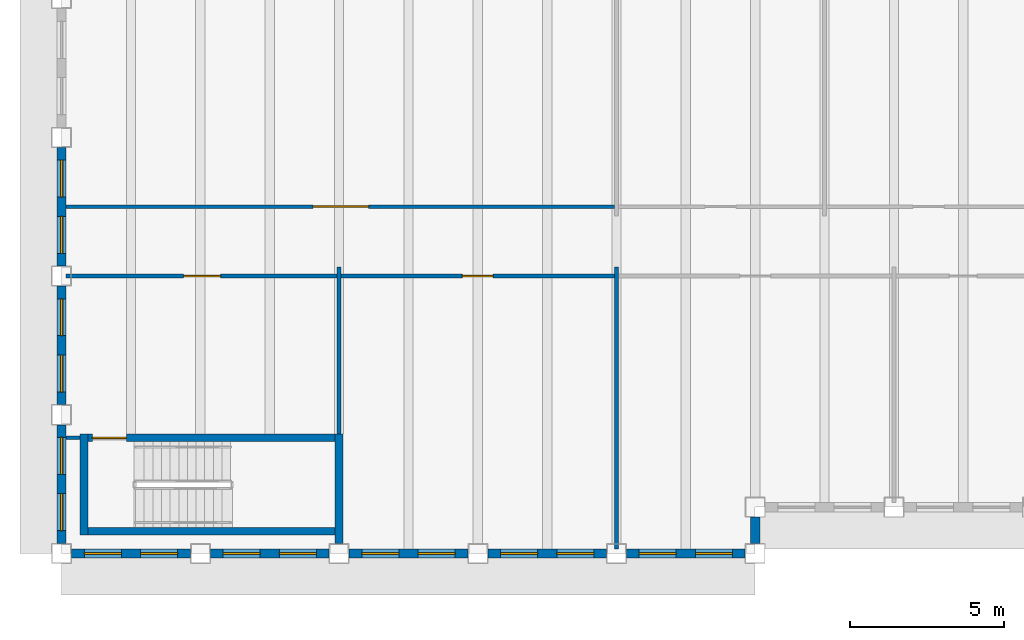
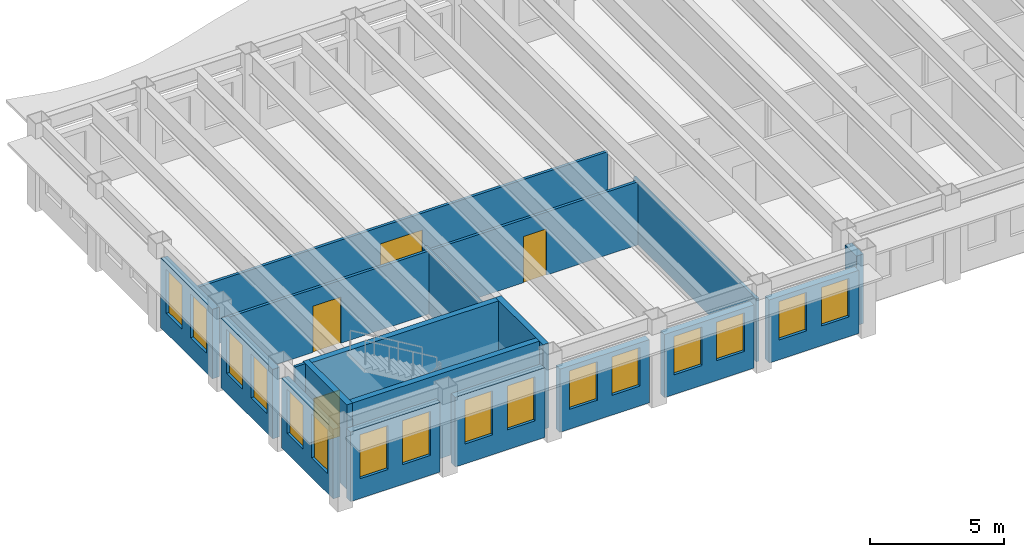
# One storey, part 2 of 12: 19 walls, 16 windows, 4 doors, 20 openings.
"""IFC4 building model written with IfcOpenShell, lengths in metres."""

from ifc_helpers import new_model, si_unit, direction, frame, frame_2d, origin, place, context, subcontext, project, spatial, rectangle, extrude, material, layer, layer_set, type_object, element, fill, save


model = new_model("IFC4")

# Units and contexts
model_context = context("Model", 3, precision=1e-05, world=origin(), true_north=direction((0.0, 1.0)))
body_context = subcontext(model_context, "Body", "Model", "MODEL_VIEW")
ifc_project = project(units=[si_unit("LENGTHUNIT", "METRE"), si_unit("AREAUNIT", "SQUARE_METRE"), si_unit("VOLUMEUNIT", "CUBIC_METRE"), si_unit("PLANEANGLEUNIT", "RADIAN"), si_unit("MASSUNIT", "GRAM", prefix="KILO")], contexts=[model_context])

# Site, building, storey
site_placement = place(None, origin())
site = spatial("IfcSite", under=ifc_project, at=site_placement, CompositionType="ELEMENT")
building_placement = place(site_placement, origin())
building = spatial("IfcBuilding", under=site, at=building_placement, Name="Sennacour Bend Tower", CompositionType="ELEMENT")
storey_placement = place(building_placement, frame((0.0, 0.0, 257.0)))
storey = spatial("IfcBuildingStorey", under=building, at=storey_placement, Name="L59", CompositionType="ELEMENT", Elevation=257.0)

# Walls
ifc_material_1 = material(Name="Plasterboard partition on steel studs", Category="steel")
ifc_layer_1 = layer(ifc_material_1, 0.1201171875, Name="Plasterboard partition on steel studs", Category="steel")
ifc_layer_set_1 = layer_set([ifc_layer_1], Name="Plasterboard partition on steel studs")
wall_type_1 = type_object("IfcWallType", Name="Partition 120", PredefinedType="PARTITIONING", material=ifc_layer_set_1)
wall_1_placement = place(storey_placement, frame((9.0, 3.875, 0.0), z_axis=(0.0, 0.0, 1.0), x_axis=(0.0, 1.0, 0.0)))
element("IfcWall", 1, at=wall_1_placement, inside=storey, type_object=wall_type_1, Name="P-L59-W005a", PredefinedType="PARTITIONING", context=body_context, shape_type="SweptSolid", body=[
    extrude(rectangle(XDim=5.425048828125, YDim=0.1201171875, at=frame_2d((2.71240234375, 0.0))), origin(), (0.0, 0.0, 1.0), 2.8701171875),
])
wall_2_placement = place(storey_placement, frame((18.0, 0.14990234375, 0.0), z_axis=(0.0, 0.0, 1.0), x_axis=(0.0, 1.0, 0.0)))
element("IfcWall", 2, at=wall_2_placement, inside=storey, type_object=wall_type_1, Name="P-L59-W006a", PredefinedType="PARTITIONING", context=body_context, shape_type="SweptSolid", body=[
    extrude(rectangle(XDim=9.150146484375, YDim=0.1201171875, at=frame_2d((4.5751953125, 0.0))), origin(), (0.0, 0.0, 1.0), 2.8701171875),
])
wall_3_placement = place(storey_placement, frame((0.14990234375, 3.75, 0.0), z_axis=(0.0, 0.0, 1.0), x_axis=(1.0, 0.0, 0.0)))
element("IfcWall", 3, at=wall_3_placement, inside=storey, type_object=wall_type_1, Name="P-L59-W036a", PredefinedType="PARTITIONING", context=body_context, shape_type="SweptSolid", body=[
    extrude(rectangle(XDim=0.4501953125, YDim=0.1201171875, at=frame_2d((0.22509765625, 0.0))), origin(), (0.0, 0.0, 1.0), 3.85009765625),
])

# Wall, opening, door
wall_4_placement = place(storey_placement, frame((9.06005859375, 9.0, 0.0), z_axis=(0.0, 0.0, 1.0), x_axis=(1.0, 0.0, 0.0)))
wall_4 = element("IfcWall", 4, at=wall_4_placement, inside=storey, type_object=wall_type_1, Name="P-L59-W043ab", PredefinedType="PARTITIONING", context=body_context, shape_type="SweptSolid", body=[
    extrude(rectangle(XDim=8.8798828125, YDim=0.1201171875, at=frame_2d((4.43994140625, 0.0))), origin(), (0.0, 0.0, 1.0), 2.8701171875),
])
opening_1_placement = place(wall_4_placement, frame((3.93994140625, 0.0, 0.0)))
opening_1 = element("IfcOpeningElement", 5, at=opening_1_placement, cuts=wall_4, Name="Opening OD2", PredefinedType="OPENING", context=body_context, shape_type="SweptSolid", body=[
    extrude(rectangle(XDim=1.0, YDim=2.10009765625, at=frame_2d((0.5, 1.050048828125))), frame((0.0, 0.070068359375, 0.0), z_axis=(0.0, -1.0, 0.0), x_axis=(1.0, 0.0, 0.0)), (0.0, 0.0, 1.0), 0.14013671875),
])
ifc_material_2 = material(Name="Timber", Category="wood")
door_type_1 = type_object("IfcDoorType", Name="DR-OFFICE-1000", OperationType="NOTDEFINED", PredefinedType="DOOR", material=ifc_material_2)
door_1_placement = place(opening_1_placement, origin())
door_1 = element("IfcDoor", 6, at=door_1_placement, inside=storey, type_object=door_type_1, Name="Door", OperationType="SINGLE_SWING_LEFT", OverallHeight=2.10009765625, OverallWidth=1.0, PredefinedType="DOOR", context=body_context, shape_type="SweptSolid", body=[
    extrude(rectangle(XDim=1.0, YDim=2.10009765625, at=frame_2d((0.5, 1.050048828125))), frame((0.0, 0.02490234375, 0.0), z_axis=(0.0, -1.0, 0.0), x_axis=(1.0, 0.0, 0.0)), (0.0, 0.0, 1.0), 0.050048828125),
])
fill(opening_1, door_1)

wall_5_placement = place(storey_placement, frame((0.14990234375, 11.25, 0.0), z_axis=(0.0, 0.0, 1.0), x_axis=(1.0, 0.0, 0.0)))
wall_5 = element("IfcWall", 7, at=wall_5_placement, inside=storey, type_object=wall_type_1, Name="P-L59-W046aa", PredefinedType="PARTITIONING", context=body_context, shape_type="SweptSolid", body=[
    extrude(rectangle(XDim=17.7900390625, YDim=0.1201171875, at=frame_2d((8.89501953125, 0.0))), origin(), (0.0, 0.0, 1.0), 2.8701171875),
])
opening_2_placement = place(wall_5_placement, frame((8.005126953125, 0.0, 0.0)))
opening_2 = element("IfcOpeningElement", 8, at=opening_2_placement, cuts=wall_5, Name="Opening OD3", PredefinedType="OPENING", context=body_context, shape_type="SweptSolid", body=[
    extrude(rectangle(XDim=1.800048828125, YDim=2.10009765625, at=frame_2d((0.89990234375, 1.050048828125))), frame((0.0, 0.070068359375, 0.0), z_axis=(0.0, -1.0, 0.0), x_axis=(1.0, 0.0, 0.0)), (0.0, 0.0, 1.0), 0.14013671875),
])
door_type_2 = type_object("IfcDoorType", Name="DR-OFFICE-1800", OperationType="NOTDEFINED", PredefinedType="DOOR", material=ifc_material_2)
door_2_placement = place(opening_2_placement, origin())
door_2 = element("IfcDoor", 9, at=door_2_placement, inside=storey, type_object=door_type_2, Name="Door", OperationType="DOUBLE_DOOR_SINGLE_SWING", OverallHeight=2.10009765625, OverallWidth=1.800048828125, PredefinedType="DOOR", context=body_context, shape_type="SweptSolid", body=[
    extrude(rectangle(XDim=1.800048828125, YDim=2.10009765625, at=frame_2d((0.89990234375, 1.050048828125))), frame((0.0, 0.02490234375, 0.0), z_axis=(0.0, -1.0, 0.0), x_axis=(1.0, 0.0, 0.0)), (0.0, 0.0, 1.0), 0.050048828125),
])
fill(opening_2, door_2)

ifc_layer_2 = layer(ifc_material_1, 0.1201171875, Name="Plasterboard partition on steel studs", Category="steel")
ifc_layer_set_2 = layer_set([ifc_layer_2], Name="Plasterboard partition on steel studs")
wall_type_2 = type_object("IfcWallType", Name="Partition 120 EI 30", PredefinedType="PARTITIONING", material=ifc_layer_set_2)
wall_6_placement = place(storey_placement, frame((0.14990234375, 9.0, 0.0), z_axis=(0.0, 0.0, 1.0), x_axis=(1.0, 0.0, 0.0)))
wall_6 = element("IfcWall", 10, at=wall_6_placement, inside=storey, type_object=wall_type_2, Name="P-L59-W043aa", PredefinedType="PARTITIONING", context=body_context, shape_type="SweptSolid", body=[
    extrude(rectangle(XDim=8.7900390625, YDim=0.1201171875, at=frame_2d((4.39501953125, 0.0))), origin(), (0.0, 0.0, 1.0), 2.8701171875),
])
opening_3_placement = place(wall_6_placement, frame((3.80517578125, 0.0, 0.0)))
opening_3 = element("IfcOpeningElement", 11, at=opening_3_placement, cuts=wall_6, Name="Opening KD2", PredefinedType="OPENING", context=body_context, shape_type="SweptSolid", body=[
    extrude(rectangle(XDim=1.199951171875, YDim=2.10009765625, at=frame_2d((0.60009765625, 1.050048828125))), frame((0.0, 0.070068359375, 0.0), z_axis=(0.0, -1.0, 0.0), x_axis=(1.0, 0.0, 0.0)), (0.0, 0.0, 1.0), 0.14013671875),
])
ifc_material_3 = material(Name="Painted steel", Category="steel")
door_type_3 = type_object("IfcDoorType", Name="DR-CORRIDOR-1200", OperationType="NOTDEFINED", PredefinedType="DOOR", material=ifc_material_3)
door_3_placement = place(opening_3_placement, origin())
door_3 = element("IfcDoor", 12, at=door_3_placement, inside=storey, type_object=door_type_3, Name="Door", OperationType="SINGLE_SWING_RIGHT", OverallHeight=2.10009765625, OverallWidth=1.199951171875, PredefinedType="DOOR", context=body_context, shape_type="SweptSolid", body=[
    extrude(rectangle(XDim=1.199951171875, YDim=2.10009765625, at=frame_2d((0.60009765625, 1.050048828125))), frame((0.0, 0.02490234375, 0.0), z_axis=(0.0, -1.0, 0.0), x_axis=(1.0, 0.0, 0.0)), (0.0, 0.0, 1.0), 0.050048828125),
])
fill(opening_3, door_3)

# Wall
ifc_material_4 = material(Name="Warm limestone cladding", Category="masonry")
ifc_layer_3 = layer(ifc_material_4, 0.050048828125, Name="Warm limestone cladding", Category="masonry")
ifc_material_5 = material(Name="Precast concrete C40/50", Category="concrete")
ifc_layer_4 = layer(ifc_material_5, 0.25, Name="Precast concrete C40/50", Category="concrete")
ifc_layer_set_3 = layer_set([ifc_layer_3, ifc_layer_4], Name="Precast concrete C40/50 with limestone cladding")
wall_type_3 = type_object("IfcWallType", Name="STONE-CLAD PRECAST SPANDREL 300", PredefinedType="STANDARD", material=ifc_layer_set_3)
wall_7_placement = place(storey_placement, frame((22.5, 0.324951171875, 0.0), z_axis=(0.0, 0.0, 1.0), x_axis=(0.0, 1.0, 0.0)))
element("IfcWall", 13, at=wall_7_placement, inside=storey, type_object=wall_type_3, Name="Stone spandrel and pier wall L59 00.00", PredefinedType="STANDARD", context=body_context, shape_type="SweptSolid", body=[
    extrude(rectangle(XDim=0.85009765625, YDim=0.300048828125, at=frame_2d((0.425048828125, 0.0))), origin(), (0.0, 0.0, 1.0), 3.162109375),
])

# Wall, openings, windows
wall_8_placement = place(storey_placement, frame((0.0, 13.175048828125, 0.0), z_axis=(0.0, 0.0, 1.0), x_axis=(0.0, -1.0, 0.0)))
wall_8 = element("IfcWall", 14, at=wall_8_placement, inside=storey, type_object=wall_type_3, Name="Stone spandrel and pier wall L59 10.02", PredefinedType="STANDARD", context=body_context, shape_type="SweptSolid", body=[
    extrude(rectangle(XDim=3.85009765625, YDim=0.300048828125, at=frame_2d((1.925048828125, 0.0))), origin(), (0.0, 0.0, 1.0), 3.162109375),
])
opening_4_placement = place(wall_8_placement, frame((0.41259765625, 0.0, 0.89990234375)))
opening_4 = element("IfcOpeningElement", 15, at=opening_4_placement, cuts=wall_8, Name="Opening W14", PredefinedType="OPENING", context=body_context, shape_type="SweptSolid", body=[
    extrude(rectangle(XDim=1.199951171875, YDim=2.0, at=frame_2d((0.60009765625, 1.0))), frame((0.0, 0.16015625, 0.0), z_axis=(0.0, -1.0, 0.0), x_axis=(1.0, 0.0, 0.0)), (0.0, 0.0, 1.0), 0.320068359375),
])
opening_5_placement = place(wall_8_placement, frame((2.237548828125, 0.0, 0.89990234375)))
opening_5 = element("IfcOpeningElement", 16, at=opening_5_placement, cuts=wall_8, Name="Opening W14", PredefinedType="OPENING", context=body_context, shape_type="SweptSolid", body=[
    extrude(rectangle(XDim=1.199951171875, YDim=2.0, at=frame_2d((0.60009765625, 1.0))), frame((0.0, 0.16015625, 0.0), z_axis=(0.0, -1.0, 0.0), x_axis=(1.0, 0.0, 0.0)), (0.0, 0.0, 1.0), 0.320068359375),
])
ifc_material_6 = material(Name="Clear low-emissivity glass", Category="glass")
window_type_1 = type_object("IfcWindowType", Name="WIN-RIBBON-1200x2000", PartitioningType="SINGLE_PANEL", PredefinedType="WINDOW", material=ifc_material_6)
window_1_placement = place(opening_4_placement, origin())
window_1 = element("IfcWindow", 17, at=window_1_placement, inside=storey, type_object=window_type_1, Name="Ribbon window L59 10.02.0", OverallHeight=2.0, OverallWidth=1.199951171875, PartitioningType="SINGLE_PANEL", PredefinedType="WINDOW", context=body_context, shape_type="SweptSolid", body=[
    extrude(rectangle(XDim=1.199951171875, YDim=2.0, at=frame_2d((0.60009765625, 1.0))), frame((0.0, 0.030029296875, 0.0), z_axis=(0.0, -1.0, 0.0), x_axis=(1.0, 0.0, 0.0)), (0.0, 0.0, 1.0), 0.06005859375),
])
fill(opening_4, window_1)
window_2_placement = place(opening_5_placement, origin())
window_2 = element("IfcWindow", 18, at=window_2_placement, inside=storey, type_object=window_type_1, Name="Ribbon window L59 10.02.1", OverallHeight=2.0, OverallWidth=1.199951171875, PartitioningType="SINGLE_PANEL", PredefinedType="WINDOW", context=body_context, shape_type="SweptSolid", body=[
    extrude(rectangle(XDim=1.199951171875, YDim=2.0, at=frame_2d((0.60009765625, 1.0))), frame((0.0, 0.030029296875, 0.0), z_axis=(0.0, -1.0, 0.0), x_axis=(1.0, 0.0, 0.0)), (0.0, 0.0, 1.0), 0.06005859375),
])
fill(opening_5, window_2)

wall_9_placement = place(storey_placement, frame((0.0, 8.675048828125, 0.0), z_axis=(0.0, 0.0, 1.0), x_axis=(0.0, -1.0, 0.0)))
wall_9 = element("IfcWall", 19, at=wall_9_placement, inside=storey, type_object=wall_type_3, Name="Stone spandrel and pier wall L59 10.03", PredefinedType="STANDARD", context=body_context, shape_type="SweptSolid", body=[
    extrude(rectangle(XDim=3.85009765625, YDim=0.300048828125, at=frame_2d((1.925048828125, 0.0))), origin(), (0.0, 0.0, 1.0), 3.162109375),
])
opening_6_placement = place(wall_9_placement, frame((0.41259765625, 0.0, 0.89990234375)))
opening_6 = element("IfcOpeningElement", 20, at=opening_6_placement, cuts=wall_9, Name="Opening W14", PredefinedType="OPENING", context=body_context, shape_type="SweptSolid", body=[
    extrude(rectangle(XDim=1.199951171875, YDim=2.0, at=frame_2d((0.60009765625, 1.0))), frame((0.0, 0.16015625, 0.0), z_axis=(0.0, -1.0, 0.0), x_axis=(1.0, 0.0, 0.0)), (0.0, 0.0, 1.0), 0.320068359375),
])
opening_7_placement = place(wall_9_placement, frame((2.237548828125, 0.0, 0.89990234375)))
opening_7 = element("IfcOpeningElement", 21, at=opening_7_placement, cuts=wall_9, Name="Opening W14", PredefinedType="OPENING", context=body_context, shape_type="SweptSolid", body=[
    extrude(rectangle(XDim=1.199951171875, YDim=2.0, at=frame_2d((0.60009765625, 1.0))), frame((0.0, 0.16015625, 0.0), z_axis=(0.0, -1.0, 0.0), x_axis=(1.0, 0.0, 0.0)), (0.0, 0.0, 1.0), 0.320068359375),
])
window_3_placement = place(opening_6_placement, origin())
window_3 = element("IfcWindow", 22, at=window_3_placement, inside=storey, type_object=window_type_1, Name="Ribbon window L59 10.03.0", OverallHeight=2.0, OverallWidth=1.199951171875, PartitioningType="SINGLE_PANEL", PredefinedType="WINDOW", context=body_context, shape_type="SweptSolid", body=[
    extrude(rectangle(XDim=1.199951171875, YDim=2.0, at=frame_2d((0.60009765625, 1.0))), frame((0.0, 0.030029296875, 0.0), z_axis=(0.0, -1.0, 0.0), x_axis=(1.0, 0.0, 0.0)), (0.0, 0.0, 1.0), 0.06005859375),
])
fill(opening_6, window_3)
window_4_placement = place(opening_7_placement, origin())
window_4 = element("IfcWindow", 23, at=window_4_placement, inside=storey, type_object=window_type_1, Name="Ribbon window L59 10.03.1", OverallHeight=2.0, OverallWidth=1.199951171875, PartitioningType="SINGLE_PANEL", PredefinedType="WINDOW", context=body_context, shape_type="SweptSolid", body=[
    extrude(rectangle(XDim=1.199951171875, YDim=2.0, at=frame_2d((0.60009765625, 1.0))), frame((0.0, 0.030029296875, 0.0), z_axis=(0.0, -1.0, 0.0), x_axis=(1.0, 0.0, 0.0)), (0.0, 0.0, 1.0), 0.06005859375),
])
fill(opening_7, window_4)

wall_10_placement = place(storey_placement, frame((0.0, 4.175048828125, 0.0), z_axis=(0.0, 0.0, 1.0), x_axis=(0.0, -1.0, 0.0)))
wall_10 = element("IfcWall", 24, at=wall_10_placement, inside=storey, type_object=wall_type_3, Name="Stone spandrel and pier wall L59 10.04", PredefinedType="STANDARD", context=body_context, shape_type="SweptSolid", body=[
    extrude(rectangle(XDim=3.85009765625, YDim=0.300048828125, at=frame_2d((1.925048828125, 0.0))), origin(), (0.0, 0.0, 1.0), 3.162109375),
])
opening_8_placement = place(wall_10_placement, frame((0.41259765625, 0.0, 0.89990234375)))
opening_8 = element("IfcOpeningElement", 25, at=opening_8_placement, cuts=wall_10, Name="Opening W14", PredefinedType="OPENING", context=body_context, shape_type="SweptSolid", body=[
    extrude(rectangle(XDim=1.199951171875, YDim=2.0, at=frame_2d((0.60009765625, 1.0))), frame((0.0, 0.16015625, 0.0), z_axis=(0.0, -1.0, 0.0), x_axis=(1.0, 0.0, 0.0)), (0.0, 0.0, 1.0), 0.320068359375),
])
opening_9_placement = place(wall_10_placement, frame((2.237548828125, 0.0, 0.89990234375)))
opening_9 = element("IfcOpeningElement", 26, at=opening_9_placement, cuts=wall_10, Name="Opening W14", PredefinedType="OPENING", context=body_context, shape_type="SweptSolid", body=[
    extrude(rectangle(XDim=1.199951171875, YDim=2.0, at=frame_2d((0.60009765625, 1.0))), frame((0.0, 0.16015625, 0.0), z_axis=(0.0, -1.0, 0.0), x_axis=(1.0, 0.0, 0.0)), (0.0, 0.0, 1.0), 0.320068359375),
])
window_5_placement = place(opening_8_placement, origin())
window_5 = element("IfcWindow", 27, at=window_5_placement, inside=storey, type_object=window_type_1, Name="Ribbon window L59 10.04.0", OverallHeight=2.0, OverallWidth=1.199951171875, PartitioningType="SINGLE_PANEL", PredefinedType="WINDOW", context=body_context, shape_type="SweptSolid", body=[
    extrude(rectangle(XDim=1.199951171875, YDim=2.0, at=frame_2d((0.60009765625, 1.0))), frame((0.0, 0.030029296875, 0.0), z_axis=(0.0, -1.0, 0.0), x_axis=(1.0, 0.0, 0.0)), (0.0, 0.0, 1.0), 0.06005859375),
])
fill(opening_8, window_5)
window_6_placement = place(opening_9_placement, origin())
window_6 = element("IfcWindow", 28, at=window_6_placement, inside=storey, type_object=window_type_1, Name="Ribbon window L59 10.04.1", OverallHeight=2.0, OverallWidth=1.199951171875, PartitioningType="SINGLE_PANEL", PredefinedType="WINDOW", context=body_context, shape_type="SweptSolid", body=[
    extrude(rectangle(XDim=1.199951171875, YDim=2.0, at=frame_2d((0.60009765625, 1.0))), frame((0.0, 0.030029296875, 0.0), z_axis=(0.0, -1.0, 0.0), x_axis=(1.0, 0.0, 0.0)), (0.0, 0.0, 1.0), 0.06005859375),
])
fill(opening_9, window_6)

wall_11_placement = place(storey_placement, frame((0.324951171875, 0.0, 0.0), z_axis=(0.0, 0.0, 1.0), x_axis=(1.0, 0.0, 0.0)))
wall_11 = element("IfcWall", 29, at=wall_11_placement, inside=storey, type_object=wall_type_3, Name="Stone spandrel and pier wall L59 11.00", PredefinedType="STANDARD", context=body_context, shape_type="SweptSolid", body=[
    extrude(rectangle(XDim=3.85009765625, YDim=0.300048828125, at=frame_2d((1.925048828125, 0.0))), origin(), (0.0, 0.0, 1.0), 3.162109375),
])
opening_10_placement = place(wall_11_placement, frame((0.41259765625, 0.0, 0.89990234375)))
opening_10 = element("IfcOpeningElement", 30, at=opening_10_placement, cuts=wall_11, Name="Opening W14", PredefinedType="OPENING", context=body_context, shape_type="SweptSolid", body=[
    extrude(rectangle(XDim=1.199951171875, YDim=2.0, at=frame_2d((0.60009765625, 1.0))), frame((0.0, 0.16015625, 0.0), z_axis=(0.0, -1.0, 0.0), x_axis=(1.0, 0.0, 0.0)), (0.0, 0.0, 1.0), 0.320068359375),
])
opening_11_placement = place(wall_11_placement, frame((2.237548828125, 0.0, 0.89990234375)))
opening_11 = element("IfcOpeningElement", 31, at=opening_11_placement, cuts=wall_11, Name="Opening W14", PredefinedType="OPENING", context=body_context, shape_type="SweptSolid", body=[
    extrude(rectangle(XDim=1.199951171875, YDim=2.0, at=frame_2d((0.60009765625, 1.0))), frame((0.0, 0.16015625, 0.0), z_axis=(0.0, -1.0, 0.0), x_axis=(1.0, 0.0, 0.0)), (0.0, 0.0, 1.0), 0.320068359375),
])
window_7_placement = place(opening_10_placement, origin())
window_7 = element("IfcWindow", 32, at=window_7_placement, inside=storey, type_object=window_type_1, Name="Ribbon window L59 11.00.0", OverallHeight=2.0, OverallWidth=1.199951171875, PartitioningType="SINGLE_PANEL", PredefinedType="WINDOW", context=body_context, shape_type="SweptSolid", body=[
    extrude(rectangle(XDim=1.199951171875, YDim=2.0, at=frame_2d((0.60009765625, 1.0))), frame((0.0, 0.030029296875, 0.0), z_axis=(0.0, -1.0, 0.0), x_axis=(1.0, 0.0, 0.0)), (0.0, 0.0, 1.0), 0.06005859375),
])
fill(opening_10, window_7)
window_8_placement = place(opening_11_placement, origin())
window_8 = element("IfcWindow", 33, at=window_8_placement, inside=storey, type_object=window_type_1, Name="Ribbon window L59 11.00.1", OverallHeight=2.0, OverallWidth=1.199951171875, PartitioningType="SINGLE_PANEL", PredefinedType="WINDOW", context=body_context, shape_type="SweptSolid", body=[
    extrude(rectangle(XDim=1.199951171875, YDim=2.0, at=frame_2d((0.60009765625, 1.0))), frame((0.0, 0.030029296875, 0.0), z_axis=(0.0, -1.0, 0.0), x_axis=(1.0, 0.0, 0.0)), (0.0, 0.0, 1.0), 0.06005859375),
])
fill(opening_11, window_8)

wall_12_placement = place(storey_placement, frame((4.824951171875, 0.0, 0.0), z_axis=(0.0, 0.0, 1.0), x_axis=(1.0, 0.0, 0.0)))
wall_12 = element("IfcWall", 34, at=wall_12_placement, inside=storey, type_object=wall_type_3, Name="Stone spandrel and pier wall L59 11.01", PredefinedType="STANDARD", context=body_context, shape_type="SweptSolid", body=[
    extrude(rectangle(XDim=3.85009765625, YDim=0.300048828125, at=frame_2d((1.925048828125, 0.0))), origin(), (0.0, 0.0, 1.0), 3.162109375),
])
opening_12_placement = place(wall_12_placement, frame((0.41259765625, 0.0, 0.89990234375)))
opening_12 = element("IfcOpeningElement", 35, at=opening_12_placement, cuts=wall_12, Name="Opening W14", PredefinedType="OPENING", context=body_context, shape_type="SweptSolid", body=[
    extrude(rectangle(XDim=1.199951171875, YDim=2.0, at=frame_2d((0.60009765625, 1.0))), frame((0.0, 0.16015625, 0.0), z_axis=(0.0, -1.0, 0.0), x_axis=(1.0, 0.0, 0.0)), (0.0, 0.0, 1.0), 0.320068359375),
])
opening_13_placement = place(wall_12_placement, frame((2.237548828125, 0.0, 0.89990234375)))
opening_13 = element("IfcOpeningElement", 36, at=opening_13_placement, cuts=wall_12, Name="Opening W14", PredefinedType="OPENING", context=body_context, shape_type="SweptSolid", body=[
    extrude(rectangle(XDim=1.199951171875, YDim=2.0, at=frame_2d((0.60009765625, 1.0))), frame((0.0, 0.16015625, 0.0), z_axis=(0.0, -1.0, 0.0), x_axis=(1.0, 0.0, 0.0)), (0.0, 0.0, 1.0), 0.320068359375),
])
window_9_placement = place(opening_12_placement, origin())
window_9 = element("IfcWindow", 37, at=window_9_placement, inside=storey, type_object=window_type_1, Name="Ribbon window L59 11.01.0", OverallHeight=2.0, OverallWidth=1.199951171875, PartitioningType="SINGLE_PANEL", PredefinedType="WINDOW", context=body_context, shape_type="SweptSolid", body=[
    extrude(rectangle(XDim=1.199951171875, YDim=2.0, at=frame_2d((0.60009765625, 1.0))), frame((0.0, 0.030029296875, 0.0), z_axis=(0.0, -1.0, 0.0), x_axis=(1.0, 0.0, 0.0)), (0.0, 0.0, 1.0), 0.06005859375),
])
fill(opening_12, window_9)
window_10_placement = place(opening_13_placement, origin())
window_10 = element("IfcWindow", 38, at=window_10_placement, inside=storey, type_object=window_type_1, Name="Ribbon window L59 11.01.1", OverallHeight=2.0, OverallWidth=1.199951171875, PartitioningType="SINGLE_PANEL", PredefinedType="WINDOW", context=body_context, shape_type="SweptSolid", body=[
    extrude(rectangle(XDim=1.199951171875, YDim=2.0, at=frame_2d((0.60009765625, 1.0))), frame((0.0, 0.030029296875, 0.0), z_axis=(0.0, -1.0, 0.0), x_axis=(1.0, 0.0, 0.0)), (0.0, 0.0, 1.0), 0.06005859375),
])
fill(opening_13, window_10)

wall_13_placement = place(storey_placement, frame((9.324951171875, 0.0, 0.0), z_axis=(0.0, 0.0, 1.0), x_axis=(1.0, 0.0, 0.0)))
wall_13 = element("IfcWall", 39, at=wall_13_placement, inside=storey, type_object=wall_type_3, Name="Stone spandrel and pier wall L59 11.02", PredefinedType="STANDARD", context=body_context, shape_type="SweptSolid", body=[
    extrude(rectangle(XDim=3.85009765625, YDim=0.300048828125, at=frame_2d((1.925048828125, 0.0))), origin(), (0.0, 0.0, 1.0), 2.8701171875),
])
opening_14_placement = place(wall_13_placement, frame((0.41259765625, 0.0, 0.89990234375)))
opening_14 = element("IfcOpeningElement", 40, at=opening_14_placement, cuts=wall_13, Name="Opening W16", PredefinedType="OPENING", context=body_context, shape_type="SweptSolid", body=[
    extrude(rectangle(XDim=1.199951171875, YDim=1.75, at=frame_2d((0.60009765625, 0.875))), frame((0.0, 0.16015625, 0.0), z_axis=(0.0, -1.0, 0.0), x_axis=(1.0, 0.0, 0.0)), (0.0, 0.0, 1.0), 0.320068359375),
])
opening_15_placement = place(wall_13_placement, frame((2.237548828125, 0.0, 0.89990234375)))
opening_15 = element("IfcOpeningElement", 41, at=opening_15_placement, cuts=wall_13, Name="Opening W16", PredefinedType="OPENING", context=body_context, shape_type="SweptSolid", body=[
    extrude(rectangle(XDim=1.199951171875, YDim=1.75, at=frame_2d((0.60009765625, 0.875))), frame((0.0, 0.16015625, 0.0), z_axis=(0.0, -1.0, 0.0), x_axis=(1.0, 0.0, 0.0)), (0.0, 0.0, 1.0), 0.320068359375),
])
window_type_2 = type_object("IfcWindowType", Name="WIN-RIBBON-1200x1750", PartitioningType="SINGLE_PANEL", PredefinedType="WINDOW", material=ifc_material_6)
window_11_placement = place(opening_14_placement, origin())
window_11 = element("IfcWindow", 42, at=window_11_placement, inside=storey, type_object=window_type_2, Name="Ribbon window L59 11.02.0", OverallHeight=1.75, OverallWidth=1.199951171875, PartitioningType="SINGLE_PANEL", PredefinedType="WINDOW", context=body_context, shape_type="SweptSolid", body=[
    extrude(rectangle(XDim=1.199951171875, YDim=1.75, at=frame_2d((0.60009765625, 0.875))), frame((0.0, 0.030029296875, 0.0), z_axis=(0.0, -1.0, 0.0), x_axis=(1.0, 0.0, 0.0)), (0.0, 0.0, 1.0), 0.06005859375),
])
fill(opening_14, window_11)
window_12_placement = place(opening_15_placement, origin())
window_12 = element("IfcWindow", 43, at=window_12_placement, inside=storey, type_object=window_type_2, Name="Ribbon window L59 11.02.1", OverallHeight=1.75, OverallWidth=1.199951171875, PartitioningType="SINGLE_PANEL", PredefinedType="WINDOW", context=body_context, shape_type="SweptSolid", body=[
    extrude(rectangle(XDim=1.199951171875, YDim=1.75, at=frame_2d((0.60009765625, 0.875))), frame((0.0, 0.030029296875, 0.0), z_axis=(0.0, -1.0, 0.0), x_axis=(1.0, 0.0, 0.0)), (0.0, 0.0, 1.0), 0.06005859375),
])
fill(opening_15, window_12)

wall_14_placement = place(storey_placement, frame((13.824951171875, 0.0, 0.0), z_axis=(0.0, 0.0, 1.0), x_axis=(1.0, 0.0, 0.0)))
wall_14 = element("IfcWall", 44, at=wall_14_placement, inside=storey, type_object=wall_type_3, Name="Stone spandrel and pier wall L59 11.03", PredefinedType="STANDARD", context=body_context, shape_type="SweptSolid", body=[
    extrude(rectangle(XDim=3.85009765625, YDim=0.300048828125, at=frame_2d((1.925048828125, 0.0))), origin(), (0.0, 0.0, 1.0), 2.8701171875),
])
opening_16_placement = place(wall_14_placement, frame((0.41259765625, 0.0, 0.89990234375)))
opening_16 = element("IfcOpeningElement", 45, at=opening_16_placement, cuts=wall_14, Name="Opening W16", PredefinedType="OPENING", context=body_context, shape_type="SweptSolid", body=[
    extrude(rectangle(XDim=1.199951171875, YDim=1.75, at=frame_2d((0.60009765625, 0.875))), frame((0.0, 0.16015625, 0.0), z_axis=(0.0, -1.0, 0.0), x_axis=(1.0, 0.0, 0.0)), (0.0, 0.0, 1.0), 0.320068359375),
])
opening_17_placement = place(wall_14_placement, frame((2.237548828125, 0.0, 0.89990234375)))
opening_17 = element("IfcOpeningElement", 46, at=opening_17_placement, cuts=wall_14, Name="Opening W16", PredefinedType="OPENING", context=body_context, shape_type="SweptSolid", body=[
    extrude(rectangle(XDim=1.199951171875, YDim=1.75, at=frame_2d((0.60009765625, 0.875))), frame((0.0, 0.16015625, 0.0), z_axis=(0.0, -1.0, 0.0), x_axis=(1.0, 0.0, 0.0)), (0.0, 0.0, 1.0), 0.320068359375),
])
window_13_placement = place(opening_16_placement, origin())
window_13 = element("IfcWindow", 47, at=window_13_placement, inside=storey, type_object=window_type_2, Name="Ribbon window L59 11.03.0", OverallHeight=1.75, OverallWidth=1.199951171875, PartitioningType="SINGLE_PANEL", PredefinedType="WINDOW", context=body_context, shape_type="SweptSolid", body=[
    extrude(rectangle(XDim=1.199951171875, YDim=1.75, at=frame_2d((0.60009765625, 0.875))), frame((0.0, 0.030029296875, 0.0), z_axis=(0.0, -1.0, 0.0), x_axis=(1.0, 0.0, 0.0)), (0.0, 0.0, 1.0), 0.06005859375),
])
fill(opening_16, window_13)
window_14_placement = place(opening_17_placement, origin())
window_14 = element("IfcWindow", 48, at=window_14_placement, inside=storey, type_object=window_type_2, Name="Ribbon window L59 11.03.1", OverallHeight=1.75, OverallWidth=1.199951171875, PartitioningType="SINGLE_PANEL", PredefinedType="WINDOW", context=body_context, shape_type="SweptSolid", body=[
    extrude(rectangle(XDim=1.199951171875, YDim=1.75, at=frame_2d((0.60009765625, 0.875))), frame((0.0, 0.030029296875, 0.0), z_axis=(0.0, -1.0, 0.0), x_axis=(1.0, 0.0, 0.0)), (0.0, 0.0, 1.0), 0.06005859375),
])
fill(opening_17, window_14)

wall_15_placement = place(storey_placement, frame((18.324951171875, 0.0, 0.0), z_axis=(0.0, 0.0, 1.0), x_axis=(1.0, 0.0, 0.0)))
wall_15 = element("IfcWall", 49, at=wall_15_placement, inside=storey, type_object=wall_type_3, Name="Stone spandrel and pier wall L59 11.04", PredefinedType="STANDARD", context=body_context, shape_type="SweptSolid", body=[
    extrude(rectangle(XDim=3.85009765625, YDim=0.300048828125, at=frame_2d((1.925048828125, 0.0))), origin(), (0.0, 0.0, 1.0), 2.8701171875),
])
opening_18_placement = place(wall_15_placement, frame((0.41259765625, 0.0, 0.89990234375)))
opening_18 = element("IfcOpeningElement", 50, at=opening_18_placement, cuts=wall_15, Name="Opening W16", PredefinedType="OPENING", context=body_context, shape_type="SweptSolid", body=[
    extrude(rectangle(XDim=1.199951171875, YDim=1.75, at=frame_2d((0.60009765625, 0.875))), frame((0.0, 0.16015625, 0.0), z_axis=(0.0, -1.0, 0.0), x_axis=(1.0, 0.0, 0.0)), (0.0, 0.0, 1.0), 0.320068359375),
])
opening_19_placement = place(wall_15_placement, frame((2.237548828125, 0.0, 0.89990234375)))
opening_19 = element("IfcOpeningElement", 51, at=opening_19_placement, cuts=wall_15, Name="Opening W16", PredefinedType="OPENING", context=body_context, shape_type="SweptSolid", body=[
    extrude(rectangle(XDim=1.199951171875, YDim=1.75, at=frame_2d((0.60009765625, 0.875))), frame((0.0, 0.16015625, 0.0), z_axis=(0.0, -1.0, 0.0), x_axis=(1.0, 0.0, 0.0)), (0.0, 0.0, 1.0), 0.320068359375),
])
window_15_placement = place(opening_18_placement, origin())
window_15 = element("IfcWindow", 52, at=window_15_placement, inside=storey, type_object=window_type_2, Name="Ribbon window L59 11.04.0", OverallHeight=1.75, OverallWidth=1.199951171875, PartitioningType="SINGLE_PANEL", PredefinedType="WINDOW", context=body_context, shape_type="SweptSolid", body=[
    extrude(rectangle(XDim=1.199951171875, YDim=1.75, at=frame_2d((0.60009765625, 0.875))), frame((0.0, 0.030029296875, 0.0), z_axis=(0.0, -1.0, 0.0), x_axis=(1.0, 0.0, 0.0)), (0.0, 0.0, 1.0), 0.06005859375),
])
fill(opening_18, window_15)
window_16_placement = place(opening_19_placement, origin())
window_16 = element("IfcWindow", 53, at=window_16_placement, inside=storey, type_object=window_type_2, Name="Ribbon window L59 11.04.1", OverallHeight=1.75, OverallWidth=1.199951171875, PartitioningType="SINGLE_PANEL", PredefinedType="WINDOW", context=body_context, shape_type="SweptSolid", body=[
    extrude(rectangle(XDim=1.199951171875, YDim=1.75, at=frame_2d((0.60009765625, 0.875))), frame((0.0, 0.030029296875, 0.0), z_axis=(0.0, -1.0, 0.0), x_axis=(1.0, 0.0, 0.0)), (0.0, 0.0, 1.0), 0.06005859375),
])
fill(opening_19, window_16)

# Walls
ifc_material_7 = material(Name="Concrete C60/75", Category="concrete")
ifc_layer_5 = layer(ifc_material_7, 0.25, Name="Concrete C60/75", Category="concrete")
ifc_layer_set_4 = layer_set([ifc_layer_5], Name="Concrete C60/75")
wall_type_4 = type_object("IfcWallType", Name="Stair wall 250", PredefinedType="SHEAR", material=ifc_layer_set_4)
wall_16_placement = place(storey_placement, frame((0.72509765625, 0.60009765625, 0.0), z_axis=(0.0, 0.0, 1.0), x_axis=(0.0, 1.0, 0.0)))
element("IfcWall", 54, at=wall_16_placement, inside=storey, type_object=wall_type_4, Name="P-L59-W002", PredefinedType="SHEAR", context=body_context, shape_type="SweptSolid", body=[
    extrude(rectangle(XDim=3.27490234375, YDim=0.25, at=frame_2d((1.637451171875, 0.0))), origin(), (0.0, 0.0, 1.0), 3.85009765625),
])
wall_17_placement = place(storey_placement, frame((9.0, 0.324951171875, 0.0), z_axis=(0.0, 0.0, 1.0), x_axis=(0.0, 1.0, 0.0)))
element("IfcWall", 55, at=wall_17_placement, inside=storey, type_object=wall_type_4, Name="P-L59-W004", PredefinedType="SHEAR", context=body_context, shape_type="SweptSolid", body=[
    extrude(rectangle(XDim=3.550048828125, YDim=0.25, at=frame_2d((1.77490234375, 0.0))), origin(), (0.0, 0.0, 1.0), 3.85009765625),
])
wall_18_placement = place(storey_placement, frame((0.85009765625, 0.72509765625, 0.0), z_axis=(0.0, 0.0, 1.0), x_axis=(1.0, 0.0, 0.0)))
element("IfcWall", 56, at=wall_18_placement, inside=storey, type_object=wall_type_4, Name="P-L59-W033", PredefinedType="SHEAR", context=body_context, shape_type="SweptSolid", body=[
    extrude(rectangle(XDim=8.02490234375, YDim=0.25, at=frame_2d((4.012451171875, 0.0))), origin(), (0.0, 0.0, 1.0), 3.85009765625),
])

# Wall, opening, door
wall_19_placement = place(storey_placement, frame((0.85009765625, 3.75, 0.0), z_axis=(0.0, 0.0, 1.0), x_axis=(1.0, 0.0, 0.0)))
wall_19 = element("IfcWall", 57, at=wall_19_placement, inside=storey, type_object=wall_type_4, Name="P-L59-W037", PredefinedType="SHEAR", context=body_context, shape_type="SweptSolid", body=[
    extrude(rectangle(XDim=8.02490234375, YDim=0.25, at=frame_2d((4.012451171875, 0.0))), origin(), (0.0, 0.0, 1.0), 3.85009765625),
])
opening_20_placement = place(wall_19_placement, frame((0.14990234375, 0.0, 0.0)))
opening_20 = element("IfcOpeningElement", 58, at=opening_20_placement, cuts=wall_19, Name="Opening SD", PredefinedType="OPENING", context=body_context, shape_type="SweptSolid", body=[
    extrude(rectangle(XDim=1.10009765625, YDim=2.10009765625, at=frame_2d((0.550048828125, 1.050048828125))), frame((0.0, 0.135009765625, 0.0), z_axis=(0.0, -1.0, 0.0), x_axis=(1.0, 0.0, 0.0)), (0.0, 0.0, 1.0), 0.27001953125),
])
door_type_4 = type_object("IfcDoorType", Name="DR-STAIR-1100", OperationType="NOTDEFINED", PredefinedType="DOOR", material=ifc_material_3)
door_4_placement = place(opening_20_placement, origin())
door_4 = element("IfcDoor", 59, at=door_4_placement, inside=storey, type_object=door_type_4, Name="Door", OperationType="SINGLE_SWING_LEFT", OverallHeight=2.10009765625, OverallWidth=1.10009765625, PredefinedType="DOOR", context=body_context, shape_type="SweptSolid", body=[
    extrude(rectangle(XDim=1.10009765625, YDim=2.10009765625, at=frame_2d((0.550048828125, 1.050048828125))), frame((0.0, 0.02490234375, 0.0), z_axis=(0.0, -1.0, 0.0), x_axis=(1.0, 0.0, 0.0)), (0.0, 0.0, 1.0), 0.050048828125),
])
fill(opening_20, door_4)

save(model, "model.ifc")
